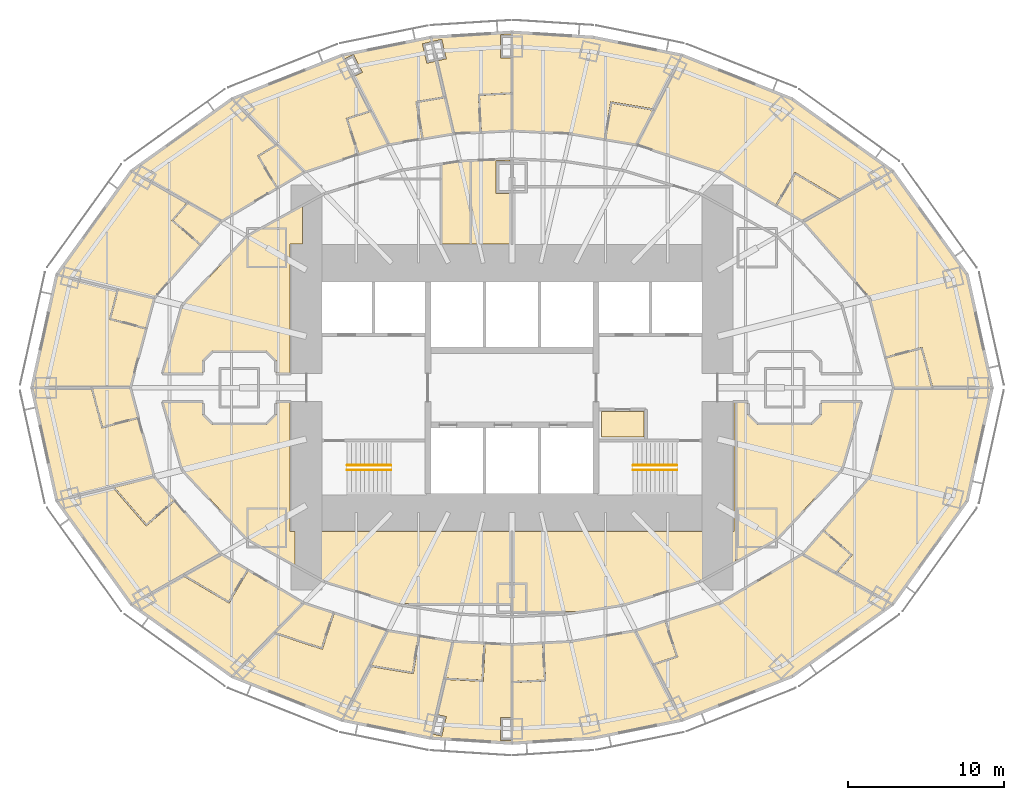
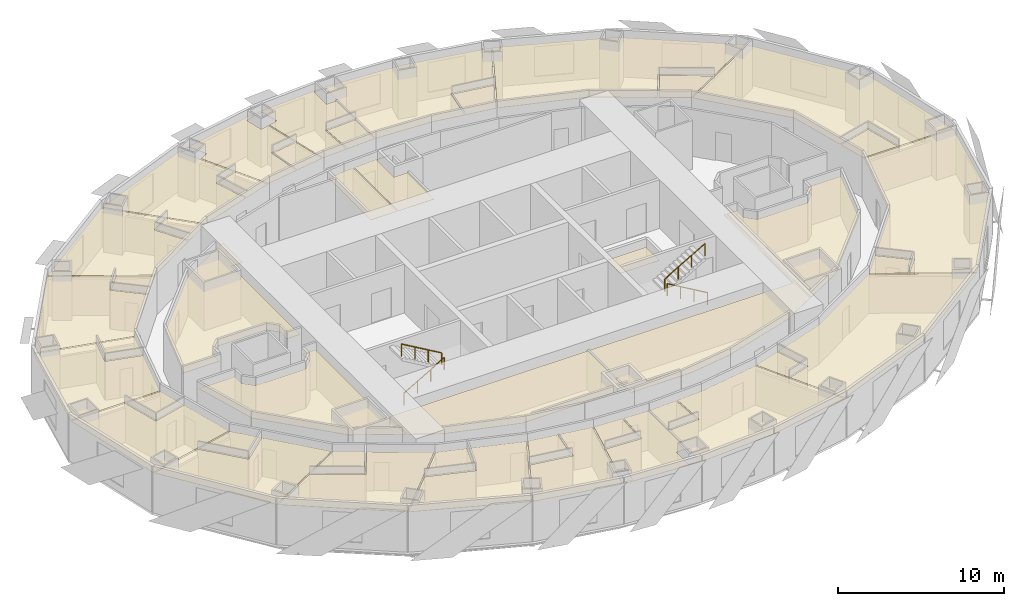
# One storey, part 15 of 15: 44 coverings, 4 railings.
"""IFC4 building model written with IfcOpenShell, lengths in metres."""

from ifc_helpers import new_model, si_unit, direction, frame, origin, origin_2d, place, context, subcontext, project, spatial, polyline, circle, outline, extrude, material, layer, layer_set, type_object, element, save


model = new_model("IFC4")

# Units and contexts
model_context = context("Model", 3, precision=1e-05, world=origin(), true_north=direction((0.0, 1.0)))
body_context = subcontext(model_context, "Body", "Model", "MODEL_VIEW")
ifc_project = project(units=[si_unit("LENGTHUNIT", "METRE"), si_unit("AREAUNIT", "SQUARE_METRE"), si_unit("VOLUMEUNIT", "CUBIC_METRE"), si_unit("PLANEANGLEUNIT", "RADIAN"), si_unit("MASSUNIT", "GRAM", prefix="KILO")], contexts=[model_context])

# Site, building, storey
site_placement = place(None, origin())
site = spatial("IfcSite", under=ifc_project, at=site_placement, CompositionType="ELEMENT")
building_placement = place(site_placement, origin())
building = spatial("IfcBuilding", under=site, at=building_placement, Name="Lantaw Convention Tower", CompositionType="ELEMENT")
storey_placement = place(building_placement, frame((0.0, 0.0, 58.60009765625)))
storey = spatial("IfcBuildingStorey", under=building, at=storey_placement, Name="L12", CompositionType="ELEMENT", Elevation=58.60009765625)

# Railings
ifc_material_1 = material(Name="Stainless steel", Category="steel")
railing_type = type_object("IfcRailingType", Name="Stair handrail", PredefinedType="HANDRAIL", material=ifc_material_1)
railing_1_placement = place(storey_placement, frame((-10.580078125, -5.280029296875, 0.16357421875)))
element("IfcRailing", 1, at=railing_1_placement, inside=storey, type_object=railing_type, Name="Stair handrail S1", PredefinedType="HANDRAIL", context=body_context, shape_type="SweptSolid", body=[
    extrude(circle(Radius=0.02392578125, at=origin_2d()), frame((0.0, 0.0, 0.8759765625), z_axis=(0.863393664356, 0.0, 0.504530851732), x_axis=(0.0, 1.0, 0.0)), (0.0, 0.0, 1.0), 3.2431640625),
    extrude(circle(Radius=0.02099609375, at=origin_2d()), origin(), (0.0, 0.0, 1.0), 0.851806640625),
    extrude(circle(Radius=0.02099609375, at=origin_2d()), frame((0.933349609375, 0.0, 0.54541015625)), (0.0, 0.0, 1.0), 0.851806640625),
    extrude(circle(Radius=0.02099609375, at=origin_2d()), frame((1.86669921875, 0.0, 1.0908203125)), (0.0, 0.0, 1.0), 0.851806640625),
    extrude(circle(Radius=0.02099609375, at=origin_2d()), frame((2.800048828125, 0.0, 1.63623046875)), (0.0, 0.0, 1.0), 0.851806640625),
])
for number, where, name in (
    (2, (-7.780029296875, -4.97998046875, 1.963623046875), "Stair handrail S1"),
    (3, (10.580078125, -5.280029296875, 0.16357421875), "Stair handrail S2"),
):
    element("IfcRailing", number, at=place(storey_placement, frame(where)), inside=storey, type_object=railing_type, Name=name, PredefinedType="HANDRAIL", context=body_context, shape_type="SweptSolid", body=[
        extrude(circle(Radius=0.02392578125, at=origin_2d()), frame((0.0, 0.0, 0.8759765625), z_axis=(-0.863393664356, 0.0, 0.504530851732), x_axis=(0.0, -1.0, 0.0)), (0.0, 0.0, 1.0), 3.2431640625),
        extrude(circle(Radius=0.02099609375, at=origin_2d()), origin(), (0.0, 0.0, 1.0), 0.851806640625),
        extrude(circle(Radius=0.02099609375, at=origin_2d()), frame((-0.933349609375, 0.0, 0.54541015625)), (0.0, 0.0, 1.0), 0.851806640625),
        extrude(circle(Radius=0.02099609375, at=origin_2d()), frame((-1.86669921875, 0.0, 1.0908203125)), (0.0, 0.0, 1.0), 0.851806640625),
        extrude(circle(Radius=0.02099609375, at=origin_2d()), frame((-2.800048828125, 0.0, 1.63623046875)), (0.0, 0.0, 1.0), 0.851806640625),
    ])
railing_2_placement = place(storey_placement, frame((7.780029296875, -4.97998046875, 1.963623046875)))
element("IfcRailing", 4, at=railing_2_placement, inside=storey, type_object=railing_type, Name="Stair handrail S2", PredefinedType="HANDRAIL", context=body_context, shape_type="SweptSolid", body=[
    extrude(circle(Radius=0.02392578125, at=origin_2d()), frame((0.0, 0.0, 0.8759765625), z_axis=(0.863393664356, 0.0, 0.504530851732), x_axis=(0.0, 1.0, 0.0)), (0.0, 0.0, 1.0), 3.2431640625),
    extrude(circle(Radius=0.02099609375, at=origin_2d()), origin(), (0.0, 0.0, 1.0), 0.851806640625),
    extrude(circle(Radius=0.02099609375, at=origin_2d()), frame((0.933349609375, 0.0, 0.54541015625)), (0.0, 0.0, 1.0), 0.851806640625),
    extrude(circle(Radius=0.02099609375, at=origin_2d()), frame((1.86669921875, 0.0, 1.0908203125)), (0.0, 0.0, 1.0), 0.851806640625),
    extrude(circle(Radius=0.02099609375, at=origin_2d()), frame((2.800048828125, 0.0, 1.63623046875)), (0.0, 0.0, 1.0), 0.851806640625),
])

# Coverings
ifc_material_2 = material(Name="Gypsum board on steel suspension grid", Category="steel")
ifc_layer = layer(ifc_material_2, 0.02001953125)
ifc_layer_set = layer_set([ifc_layer], Name="Suspended ceiling")
covering_type = type_object("IfcCoveringType", Name="Suspended ceiling", PredefinedType="CEILING", material=ifc_layer_set)
covering_1_placement = place(storey_placement, frame((0.0, 0.0, 2.849853515625)))
element("IfcCovering", 5, at=covering_1_placement, inside=storey, type_object=covering_type, Name="Staff WC ceiling", PredefinedType="CEILING", context=body_context, shape_type="SweptSolid", body=[
    extrude(outline(polyline([(5.739990234375, -3.159912109375), (8.4599609375, -3.159912109375), (8.4599609375, -1.5400390625), (5.739990234375, -1.5400390625), (5.739990234375, -3.159912109375)])), origin(), (0.0, 0.0, 1.0), 0.02001953125),
])
covering_2_placement = place(storey_placement, frame((0.0, 0.0, 2.849853515625)))
element("IfcCovering", 6, at=covering_2_placement, inside=storey, type_object=covering_type, Name="Accessible WC ceiling", PredefinedType="CEILING", context=body_context, shape_type="SweptSolid", body=[
    extrude(outline(polyline([(-0.114990234375, 14.5400390625), (-0.114990234375, 14.654296875), (-2.610107421875, 14.534423828125), (-2.610107421875, 9.239990234375), (-0.114990234375, 9.239990234375), (-0.114990234375, 12.4599609375), (-1.0400390625, 12.4599609375), (-1.0400390625, 14.5400390625), (-0.114990234375, 14.5400390625)])), origin(), (0.0, 0.0, 1.0), 0.02001953125),
])
covering_3_placement = place(storey_placement, frame((0.0, 0.0, 2.849853515625)))
element("IfcCovering", 7, at=covering_3_placement, inside=storey, type_object=covering_type, Name="Staff WC ceiling", PredefinedType="CEILING", context=body_context, shape_type="SweptSolid", body=[
    extrude(outline(polyline([(-3.3525390625, 14.49853515625), (-4.510009765625, 14.3203125), (-4.510009765625, 9.239990234375), (-2.68994140625, 9.239990234375), (-2.68994140625, 14.530517578125), (-3.3525390625, 14.49853515625)])), origin(), (0.0, 0.0, 1.0), 0.02001953125),
])
covering_4_placement = place(storey_placement, frame((0.0, 0.0, 2.849853515625)))
element("IfcCovering", 8, at=covering_4_placement, inside=storey, type_object=covering_type, Name="Housekeeping room ceiling", PredefinedType="CEILING", context=body_context, shape_type="SweptSolid", body=[
    extrude(outline(polyline([(-22.388671875, 0.93994140625), (-19.864990234375, 0.93994140625), (-19.864990234375, 1.7412109375), (-19.2412109375, 2.364990234375), (-15.7587890625, 2.364990234375), (-15.135009765625, 1.7412109375), (-15.135009765625, 0.93994140625), (-14.239990234375, 0.93994140625), (-14.239990234375, 9.239990234375), (-13.43994140625, 9.239990234375), (-13.43994140625, 11.64697265625), (-16.99609375, 9.694091796875), (-21.148193359375, 5.261474609375), (-22.388671875, 0.93994140625)])), origin(), (0.0, 0.0, 1.0), 0.02001953125),
])
covering_5_placement = place(storey_placement, frame((0.0, 0.0, 2.849853515625)))
element("IfcCovering", 9, at=covering_5_placement, inside=storey, type_object=covering_type, Name="Staff locker room ceiling", PredefinedType="CEILING", context=body_context, shape_type="SweptSolid", body=[
    extrude(outline(polyline([(-12.020263671875, -12.426513671875), (-7.303466796875, -13.860107421875), (-0.0400390625, -13.860107421875), (-0.0400390625, -9.239990234375), (-13.860107421875, -9.239990234375), (-13.860107421875, -11.416259765625), (-12.020263671875, -12.426513671875)])), origin(), (0.0, 0.0, 1.0), 0.02001953125),
])
covering_6_placement = place(storey_placement, frame((0.0, 0.0, 2.849853515625)))
element("IfcCovering", 10, at=covering_6_placement, inside=storey, type_object=covering_type, Name="Staff room ceiling", PredefinedType="CEILING", context=body_context, shape_type="SweptSolid", body=[
    extrude(outline(polyline([(-22.388671875, -0.93994140625), (-21.148193359375, -5.261474609375), (-16.99609375, -9.694091796875), (-13.93994140625, -11.372314453125), (-13.93994140625, -9.239990234375), (-14.239990234375, -9.239990234375), (-14.239990234375, -0.93994140625), (-15.135009765625, -0.93994140625), (-15.135009765625, -1.7412109375), (-15.7587890625, -2.364990234375), (-19.2412109375, -2.364990234375), (-19.864990234375, -1.7412109375), (-19.864990234375, -0.93994140625), (-22.388671875, -0.93994140625)])), origin(), (0.0, 0.0, 1.0), 0.02001953125),
])
covering_7_placement = place(storey_placement, frame((0.0, 0.0, 2.849853515625)))
element("IfcCovering", 11, at=covering_7_placement, inside=storey, type_object=covering_type, Name="Guest ice and vending room ceiling", PredefinedType="CEILING", context=body_context, shape_type="SweptSolid", body=[
    extrude(outline(polyline([(7.10400390625, -13.920654296875), (12.020263671875, -12.426513671875), (14.360107421875, -11.1416015625), (14.360107421875, -0.93994140625), (14.239990234375, -0.93994140625), (14.239990234375, -9.239990234375), (0.0400390625, -9.239990234375), (0.0400390625, -14.360107421875), (4.251953125, -14.360107421875), (7.10400390625, -13.920654296875)])), origin(), (0.0, 0.0, 1.0), 0.02001953125),
])
covering_8_placement = place(storey_placement, frame((0.0, 0.0, 2.849853515625)))
element("IfcCovering", 12, at=covering_8_placement, inside=storey, type_object=covering_type, Name="Room service pantry ceiling", PredefinedType="CEILING", context=body_context, shape_type="SweptSolid", body=[
    extrude(outline(polyline([(22.388671875, -0.93994140625), (19.864990234375, -0.93994140625), (19.864990234375, -1.7412109375), (19.2412109375, -2.364990234375), (15.7587890625, -2.364990234375), (15.135009765625, -1.7412109375), (15.135009765625, -0.93994140625), (14.43994140625, -0.93994140625), (14.43994140625, -11.097900390625), (16.99609375, -9.694091796875), (21.148193359375, -5.261474609375), (22.388671875, -0.93994140625)])), origin(), (0.0, 0.0, 1.0), 0.02001953125),
])
covering_9_placement = place(storey_placement, frame((0.0, 0.0, 2.849853515625)))
element("IfcCovering", 13, at=covering_9_placement, inside=storey, type_object=covering_type, Name="Junior suite bathroom ceiling", PredefinedType="CEILING", context=body_context, shape_type="SweptSolid", body=[
    extrude(outline(polyline([(24.53076171875, 0.0400390625), (26.931396484375, 0.0400390625), (26.27685546875, 2.500732421875), (24.03466796875, 1.904296875), (24.53076171875, 0.0400390625)])), origin(), (0.0, 0.0, 1.0), 0.02001953125),
])
covering_10_placement = place(storey_placement, frame((0.0, 0.0, 2.849853515625)))
element("IfcCovering", 14, at=covering_10_placement, inside=storey, type_object=covering_type, Name="Junior suite ceiling", PredefinedType="CEILING", context=body_context, shape_type="SweptSolid", body=[
    extrude(outline(polyline([(23.01220703125, 5.747802734375), (24.01416015625, 1.981689453125), (26.33349609375, 2.5986328125), (27.01416015625, 0.0400390625), (30.77099609375, 0.0400390625), (29.184814453125, 7.237060546875), (24.423095703125, 13.8564453125), (18.743896484375, 10.664306640625), (23.01220703125, 5.747802734375)])), origin(), (0.0, 0.0, 1.0), 0.02001953125),
])
covering_11_placement = place(storey_placement, frame((0.0, 0.0, 2.849853515625)))
element("IfcCovering", 15, at=covering_11_placement, inside=storey, type_object=covering_type, Name="Junior suite bathroom ceiling", PredefinedType="CEILING", context=body_context, shape_type="SweptSolid", body=[
    extrude(outline(polyline([(18.681884765625, 10.721435546875), (20.998291015625, 12.045166015625), (18.19921875, 13.704833984375), (17.015869140625, 11.709228515625), (18.681884765625, 10.721435546875)])), origin(), (0.0, 0.0, 1.0), 0.02001953125),
])
covering_12_placement = place(storey_placement, frame((0.0, 0.0, 2.849853515625)))
element("IfcCovering", 16, at=covering_12_placement, inside=storey, type_object=covering_type, Name="Junior suite ceiling", PredefinedType="CEILING", context=body_context, shape_type="SweptSolid", body=[
    extrude(outline(polyline([(8.009033203125, 15.630126953125), (13.3740234375, 13.86865234375), (16.936767578125, 11.756103515625), (18.1669921875, 13.830810546875), (21.10986328125, 12.0859375), (24.3603515625, 13.912841796875), (17.951171875, 18.50634765625), (10.930908203125, 21.294921875), (8.009033203125, 15.630126953125)])), origin(), (0.0, 0.0, 1.0), 0.02001953125),
])
covering_13_placement = place(storey_placement, frame((0.0, 0.0, 2.849853515625)))
element("IfcCovering", 17, at=covering_13_placement, inside=storey, type_object=covering_type, Name="Junior suite bathroom ceiling", PredefinedType="CEILING", context=body_context, shape_type="SweptSolid", body=[
    extrude(outline(polyline([(7.9296875, 15.65087890625), (9.034423828125, 17.819091796875), (6.40625, 18.256591796875), (6.025146484375, 15.968017578125), (7.9296875, 15.65087890625)])), origin(), (0.0, 0.0, 1.0), 0.02001953125),
])
covering_14_placement = place(storey_placement, frame((0.0, 0.0, 2.849853515625)))
element("IfcCovering", 18, at=covering_14_placement, inside=storey, type_object=covering_type, Name="Junior suite ceiling", PredefinedType="CEILING", context=body_context, shape_type="SweptSolid", body=[
    extrude(outline(polyline([(0.0400390625, 16.5380859375), (3.7685546875, 16.343994140625), (5.9345703125, 15.983154296875), (6.33056640625, 18.362548828125), (9.09130859375, 17.90283203125), (10.85205078125, 21.31689453125), (5.20556640625, 22.456298828125), (0.0400390625, 22.781982421875), (0.0400390625, 16.5380859375)])), origin(), (0.0, 0.0, 1.0), 0.02001953125),
])
covering_15_placement = place(storey_placement, frame((0.0, 0.0, 2.849853515625)))
element("IfcCovering", 19, at=covering_15_placement, inside=storey, type_object=covering_type, Name="Guest bathroom ceiling", PredefinedType="CEILING", context=body_context, shape_type="SweptSolid", body=[
    extrude(outline(polyline([(-0.0400390625, 16.5380859375), (-0.0400390625, 18.861083984375), (-2.080078125, 18.7548828125), (-1.95947265625, 16.43798828125), (-0.0400390625, 16.5380859375)])), origin(), (0.0, 0.0, 1.0), 0.02001953125),
])
covering_16_placement = place(storey_placement, frame((0.0, 0.0, 2.849853515625)))
element("IfcCovering", 20, at=covering_16_placement, inside=storey, type_object=covering_type, Name="Guest room ceiling", PredefinedType="CEILING", context=body_context, shape_type="SweptSolid", body=[
    extrude(outline(polyline([(-4.815673828125, 20.98046875), (-3.732666015625, 16.345703125), (-2.039306640625, 16.433837890625), (-2.1640625, 18.83056640625), (-0.0400390625, 18.941162109375), (-0.0400390625, 21.159912109375), (-0.739990234375, 21.159912109375), (-0.739990234375, 22.639892578125), (-0.0400390625, 22.639892578125), (-0.0400390625, 22.781982421875), (-5.1611328125, 22.458984375), (-5.10693359375, 22.22705078125), (-4.506591796875, 22.365478515625), (-4.21875, 21.118408203125), (-4.815673828125, 20.98046875)])), origin(), (0.0, 0.0, 1.0), 0.02001953125),
])
covering_17_placement = place(storey_placement, frame((0.0, 0.0, 2.849853515625)))
element("IfcCovering", 21, at=covering_17_placement, inside=storey, type_object=covering_type, Name="Guest bathroom ceiling", PredefinedType="CEILING", context=body_context, shape_type="SweptSolid", body=[
    extrude(outline(polyline([(-3.812744140625, 16.336669921875), (-4.33544921875, 18.6015625), (-6.085205078125, 18.31005859375), (-5.7041015625, 16.021484375), (-3.812744140625, 16.336669921875)])), origin(), (0.0, 0.0, 1.0), 0.02001953125),
])
covering_18_placement = place(storey_placement, frame((0.0, 0.0, 2.849853515625)))
element("IfcCovering", 22, at=covering_18_placement, inside=storey, type_object=covering_type, Name="Guest room ceiling", PredefinedType="CEILING", context=body_context, shape_type="SweptSolid", body=[
    extrude(outline(polyline([(-10.157958984375, 19.970947265625), (-7.929931640625, 15.65087890625), (-5.782958984375, 16.008544921875), (-6.17724609375, 18.3759765625), (-4.35986328125, 18.678466796875), (-4.8935546875, 20.962646484375), (-5.4658203125, 20.83056640625), (-5.75390625, 22.07763671875), (-5.184814453125, 22.208984375), (-5.240966796875, 22.448974609375), (-10.85205078125, 21.31689453125), (-10.74462890625, 21.1083984375), (-10.182861328125, 21.394775390625), (-9.601806640625, 20.254150390625), (-10.157958984375, 19.970947265625)])), origin(), (0.0, 0.0, 1.0), 0.02001953125),
])
covering_19_placement = place(storey_placement, frame((0.0, 0.0, 2.849853515625)))
element("IfcCovering", 23, at=covering_19_placement, inside=storey, type_object=covering_type, Name="Guest bathroom ceiling", PredefinedType="CEILING", context=body_context, shape_type="SweptSolid", body=[
    extrude(outline(polyline([(-8.0087890625, 15.630126953125), (-9.07470703125, 17.721923828125), (-10.55029296875, 17.237548828125), (-9.82666015625, 15.033203125), (-8.0087890625, 15.630126953125)])), origin(), (0.0, 0.0, 1.0), 0.02001953125),
])
covering_20_placement = place(storey_placement, frame((0.0, 0.0, 2.849853515625)))
element("IfcCovering", 24, at=covering_20_placement, inside=storey, type_object=covering_type, Name="Guest room ceiling", PredefinedType="CEILING", context=body_context, shape_type="SweptSolid", body=[
    extrude(outline(polyline([(-13.34619140625, 13.877685546875), (-9.902587890625, 15.00830078125), (-10.6513671875, 17.28857421875), (-9.123291015625, 17.790283203125), (-10.930908203125, 21.294921875), (-17.899658203125, 18.52685546875), (-13.34619140625, 13.877685546875)])), origin(), (0.0, 0.0, 1.0), 0.02001953125),
])
covering_21_placement = place(storey_placement, frame((0.0, 0.0, 2.849853515625)))
element("IfcCovering", 25, at=covering_21_placement, inside=storey, type_object=covering_type, Name="Guest bathroom ceiling", PredefinedType="CEILING", context=body_context, shape_type="SweptSolid", body=[
    extrude(outline(polyline([(-13.42138671875, 13.840576171875), (-15.07763671875, 15.5556640625), (-16.2470703125, 14.8623046875), (-15.063720703125, 12.86669921875), (-13.42138671875, 13.840576171875)])), origin(), (0.0, 0.0, 1.0), 0.02001953125),
])
covering_22_placement = place(storey_placement, frame((0.0, 0.0, 2.849853515625)))
element("IfcCovering", 26, at=covering_22_placement, inside=storey, type_object=covering_type, Name="Guest room ceiling", PredefinedType="CEILING", context=body_context, shape_type="SweptSolid", body=[
    extrude(outline(polyline([(-18.681884765625, 10.721435546875), (-15.132568359375, 12.825927734375), (-16.356689453125, 14.890380859375), (-15.150390625, 15.60546875), (-17.97509765625, 18.4892578125), (-24.3603515625, 13.912841796875), (-18.681884765625, 10.721435546875)])), origin(), (0.0, 0.0, 1.0), 0.02001953125),
])
covering_23_placement = place(storey_placement, frame((0.0, 0.0, 2.849853515625)))
element("IfcCovering", 27, at=covering_23_placement, inside=storey, type_object=covering_type, Name="Guest bathroom ceiling", PredefinedType="CEILING", context=body_context, shape_type="SweptSolid", body=[
    extrude(outline(polyline([(-18.74365234375, 10.66455078125), (-20.797119140625, 11.838134765625), (-21.74853515625, 10.7421875), (-19.99658203125, 9.221435546875), (-18.74365234375, 10.66455078125)])), origin(), (0.0, 0.0, 1.0), 0.02001953125),
])
covering_24_placement = place(storey_placement, frame((0.0, 0.0, 2.849853515625)))
element("IfcCovering", 28, at=covering_24_placement, inside=storey, type_object=covering_type, Name="Guest room ceiling", PredefinedType="CEILING", context=body_context, shape_type="SweptSolid", body=[
    extrude(outline(polyline([(-22.990234375, 5.773193359375), (-20.049072265625, 9.160888671875), (-21.861328125, 10.734375), (-20.8798828125, 11.86474609375), (-24.423095703125, 13.8564453125), (-29.15478515625, 7.2783203125), (-22.990234375, 5.773193359375)])), origin(), (0.0, 0.0, 1.0), 0.02001953125),
])
covering_25_placement = place(storey_placement, frame((0.0, 0.0, 2.849853515625)))
element("IfcCovering", 29, at=covering_25_placement, inside=storey, type_object=covering_type, Name="Guest bathroom ceiling", PredefinedType="CEILING", context=body_context, shape_type="SweptSolid", body=[
    extrude(outline(polyline([(-23.025146484375, 5.699462890625), (-25.2763671875, 6.260986328125), (-25.760498046875, 4.441162109375), (-23.5185546875, 3.8447265625), (-23.025146484375, 5.699462890625)])), origin(), (0.0, 0.0, 1.0), 0.02001953125),
])
covering_26_placement = place(storey_placement, frame((0.0, 0.0, 2.849853515625)))
element("IfcCovering", 30, at=covering_26_placement, inside=storey, type_object=covering_type, Name="Guest room ceiling", PredefinedType="CEILING", context=body_context, shape_type="SweptSolid", body=[
    extrude(outline(polyline([(-24.53076171875, 0.0400390625), (-23.5390625, 3.767333984375), (-25.8583984375, 4.384521484375), (-25.357177734375, 6.268798828125), (-29.191650390625, 7.205078125), (-30.77099609375, 0.0400390625), (-24.53076171875, 0.0400390625)])), origin(), (0.0, 0.0, 1.0), 0.02001953125),
])
covering_27_placement = place(storey_placement, frame((0.0, 0.0, 2.849853515625)))
element("IfcCovering", 31, at=covering_27_placement, inside=storey, type_object=covering_type, Name="Guest bathroom ceiling", PredefinedType="CEILING", context=body_context, shape_type="SweptSolid", body=[
    extrude(outline(polyline([(-24.53076171875, -0.0400390625), (-26.931396484375, -0.0400390625), (-26.27685546875, -2.500732421875), (-24.03466796875, -1.904296875), (-24.53076171875, -0.0400390625)])), origin(), (0.0, 0.0, 1.0), 0.02001953125),
])
covering_28_placement = place(storey_placement, frame((0.0, 0.0, 2.849853515625)))
element("IfcCovering", 32, at=covering_28_placement, inside=storey, type_object=covering_type, Name="Guest room ceiling", PredefinedType="CEILING", context=body_context, shape_type="SweptSolid", body=[
    extrude(outline(polyline([(-24.01416015625, -1.981689453125), (-26.33349609375, -2.5986328125), (-27.01416015625, -0.0400390625), (-30.77099609375, -0.0400390625), (-29.191650390625, -7.205078125), (-23.025146484375, -5.699462890625), (-24.01416015625, -1.981689453125)])), origin(), (0.0, 0.0, 1.0), 0.02001953125),
])
covering_29_placement = place(storey_placement, frame((0.0, 0.0, 2.849853515625)))
element("IfcCovering", 33, at=covering_29_placement, inside=storey, type_object=covering_type, Name="Guest bathroom ceiling", PredefinedType="CEILING", context=body_context, shape_type="SweptSolid", body=[
    extrude(outline(polyline([(-22.990234375, -5.773193359375), (-25.515869140625, -6.403076171875), (-23.47314453125, -8.755859375), (-21.72119140625, -7.23486328125), (-22.990234375, -5.773193359375)])), origin(), (0.0, 0.0, 1.0), 0.02001953125),
])
covering_30_placement = place(storey_placement, frame((0.0, 0.0, 2.849853515625)))
element("IfcCovering", 34, at=covering_30_placement, inside=storey, type_object=covering_type, Name="Guest room ceiling", PredefinedType="CEILING", context=body_context, shape_type="SweptSolid", body=[
    extrude(outline(polyline([(-25.625732421875, -6.416748046875), (-29.15478515625, -7.2783203125), (-24.423095703125, -13.8564453125), (-18.743896484375, -10.664306640625), (-21.660888671875, -7.30419921875), (-23.482421875, -8.885498046875), (-25.625732421875, -6.416748046875)])), origin(), (0.0, 0.0, 1.0), 0.02001953125),
])
covering_31_placement = place(storey_placement, frame((0.0, 0.0, 2.849853515625)))
element("IfcCovering", 35, at=covering_31_placement, inside=storey, type_object=covering_type, Name="Guest bathroom ceiling", PredefinedType="CEILING", context=body_context, shape_type="SweptSolid", body=[
    extrude(outline(polyline([(-18.681884765625, -10.721435546875), (-20.998291015625, -12.045166015625), (-18.19921875, -13.704833984375), (-17.015869140625, -11.709228515625), (-18.681884765625, -10.721435546875)])), origin(), (0.0, 0.0, 1.0), 0.02001953125),
])
covering_32_placement = place(storey_placement, frame((0.0, 0.0, 2.849853515625)))
element("IfcCovering", 36, at=covering_32_placement, inside=storey, type_object=covering_type, Name="Guest room ceiling", PredefinedType="CEILING", context=body_context, shape_type="SweptSolid", body=[
    extrude(outline(polyline([(-21.10986328125, -12.0859375), (-24.3603515625, -13.912841796875), (-17.97509765625, -18.4892578125), (-13.421630859375, -13.84033203125), (-16.936767578125, -11.756103515625), (-18.1669921875, -13.830810546875), (-21.10986328125, -12.0859375)])), origin(), (0.0, 0.0, 1.0), 0.02001953125),
])
covering_33_placement = place(storey_placement, frame((0.0, 0.0, 2.849853515625)))
element("IfcCovering", 37, at=covering_33_placement, inside=storey, type_object=covering_type, Name="Guest bathroom ceiling", PredefinedType="CEILING", context=body_context, shape_type="SweptSolid", body=[
    extrude(outline(polyline([(-13.34619140625, -13.8779296875), (-15.136474609375, -15.73193359375), (-12.2314453125, -16.685546875), (-11.5078125, -14.4814453125), (-13.34619140625, -13.8779296875)])), origin(), (0.0, 0.0, 1.0), 0.02001953125),
])
covering_34_placement = place(storey_placement, frame((0.0, 0.0, 2.849853515625)))
element("IfcCovering", 38, at=covering_34_placement, inside=storey, type_object=covering_type, Name="Guest room ceiling", PredefinedType="CEILING", context=body_context, shape_type="SweptSolid", body=[
    extrude(outline(polyline([(-15.227783203125, -15.798828125), (-17.899658203125, -18.52685546875), (-10.930908203125, -21.294921875), (-8.009033203125, -15.630126953125), (-11.42041015625, -14.510009765625), (-12.172607421875, -16.8017578125), (-15.227783203125, -15.798828125)])), origin(), (0.0, 0.0, 1.0), 0.02001953125),
])
covering_35_placement = place(storey_placement, frame((0.0, 0.0, 2.849853515625)))
element("IfcCovering", 39, at=covering_35_placement, inside=storey, type_object=covering_type, Name="Guest bathroom ceiling", PredefinedType="CEILING", context=body_context, shape_type="SweptSolid", body=[
    extrude(outline(polyline([(-7.9296875, -15.65087890625), (-9.034423828125, -17.819091796875), (-6.40625, -18.256591796875), (-6.025146484375, -15.968017578125), (-7.9296875, -15.65087890625)])), origin(), (0.0, 0.0, 1.0), 0.02001953125),
])
covering_36_placement = place(storey_placement, frame((0.0, 0.0, 2.849853515625)))
element("IfcCovering", 40, at=covering_36_placement, inside=storey, type_object=covering_type, Name="Guest room ceiling", PredefinedType="CEILING", context=body_context, shape_type="SweptSolid", body=[
    extrude(outline(polyline([(-9.09130859375, -17.90283203125), (-10.85205078125, -21.31689453125), (-5.240966796875, -22.448974609375), (-3.812744140625, -16.336669921875), (-5.9345703125, -15.983154296875), (-6.33056640625, -18.362548828125), (-9.09130859375, -17.90283203125)])), origin(), (0.0, 0.0, 1.0), 0.02001953125),
])
covering_37_placement = place(storey_placement, frame((0.0, 0.0, 2.849853515625)))
element("IfcCovering", 41, at=covering_37_placement, inside=storey, type_object=covering_type, Name="Guest bathroom ceiling", PredefinedType="CEILING", context=body_context, shape_type="SweptSolid", body=[
    extrude(outline(polyline([(-3.732666015625, -16.345703125), (-4.2626953125, -18.641357421875), (-1.929443359375, -18.7626953125), (-1.808837890625, -16.44580078125), (-3.732666015625, -16.345703125)])), origin(), (0.0, 0.0, 1.0), 0.02001953125),
])
covering_38_placement = place(storey_placement, frame((0.0, 0.0, 2.849853515625)))
element("IfcCovering", 42, at=covering_38_placement, inside=storey, type_object=covering_type, Name="Guest room ceiling", PredefinedType="CEILING", context=body_context, shape_type="SweptSolid", body=[
    extrude(outline(polyline([(-0.0400390625, -16.5380859375), (-1.717041015625, -16.45068359375), (-1.84228515625, -18.859375), (-4.290283203125, -18.73193359375), (-4.815673828125, -20.98046875), (-4.21875, -21.118408203125), (-4.506591796875, -22.365478515625), (-5.10693359375, -22.22705078125), (-5.1611328125, -22.458984375), (-0.0400390625, -22.781982421875), (-0.0400390625, -22.639892578125), (-0.739990234375, -22.639892578125), (-0.739990234375, -21.159912109375), (-0.0400390625, -21.159912109375), (-0.0400390625, -16.5380859375)])), origin(), (0.0, 0.0, 1.0), 0.02001953125),
])
covering_39_placement = place(storey_placement, frame((0.0, 0.0, 2.849853515625)))
element("IfcCovering", 43, at=covering_39_placement, inside=storey, type_object=covering_type, Name="Junior suite bathroom ceiling", PredefinedType="CEILING", context=body_context, shape_type="SweptSolid", body=[
    extrude(outline(polyline([(0.0400390625, -16.5380859375), (0.0400390625, -18.861083984375), (2.080078125, -18.7548828125), (1.95947265625, -16.43798828125), (0.0400390625, -16.5380859375)])), origin(), (0.0, 0.0, 1.0), 0.02001953125),
])
covering_40_placement = place(storey_placement, frame((0.0, 0.0, 2.849853515625)))
element("IfcCovering", 44, at=covering_40_placement, inside=storey, type_object=covering_type, Name="Junior suite ceiling", PredefinedType="CEILING", context=body_context, shape_type="SweptSolid", body=[
    extrude(outline(polyline([(3.7685546875, -16.343994140625), (2.039306640625, -16.433837890625), (2.1640625, -18.83056640625), (0.0400390625, -18.941162109375), (0.0400390625, -22.781982421875), (5.20556640625, -22.456298828125), (10.85205078125, -21.31689453125), (7.929931640625, -15.65087890625), (3.7685546875, -16.343994140625)])), origin(), (0.0, 0.0, 1.0), 0.02001953125),
])
covering_41_placement = place(storey_placement, frame((0.0, 0.0, 2.849853515625)))
element("IfcCovering", 45, at=covering_41_placement, inside=storey, type_object=covering_type, Name="Junior suite bathroom ceiling", PredefinedType="CEILING", context=body_context, shape_type="SweptSolid", body=[
    extrude(outline(polyline([(8.0087890625, -15.630126953125), (9.07470703125, -17.721923828125), (10.55029296875, -17.237548828125), (9.82666015625, -15.033203125), (8.0087890625, -15.630126953125)])), origin(), (0.0, 0.0, 1.0), 0.02001953125),
])
covering_42_placement = place(storey_placement, frame((0.0, 0.0, 2.849853515625)))
element("IfcCovering", 46, at=covering_42_placement, inside=storey, type_object=covering_type, Name="Junior suite ceiling", PredefinedType="CEILING", context=body_context, shape_type="SweptSolid", body=[
    extrude(outline(polyline([(13.3740234375, -13.86865234375), (9.902587890625, -15.00830078125), (10.6513671875, -17.28857421875), (9.123291015625, -17.790283203125), (10.930908203125, -21.294921875), (17.951171875, -18.50634765625), (24.3603515625, -13.912841796875), (18.681884765625, -10.721435546875), (13.3740234375, -13.86865234375)])), origin(), (0.0, 0.0, 1.0), 0.02001953125),
])
covering_43_placement = place(storey_placement, frame((0.0, 0.0, 2.849853515625)))
element("IfcCovering", 47, at=covering_43_placement, inside=storey, type_object=covering_type, Name="Junior suite bathroom ceiling", PredefinedType="CEILING", context=body_context, shape_type="SweptSolid", body=[
    extrude(outline(polyline([(18.74365234375, -10.66455078125), (20.797119140625, -11.838134765625), (21.74853515625, -10.7421875), (19.99658203125, -9.221435546875), (18.74365234375, -10.66455078125)])), origin(), (0.0, 0.0, 1.0), 0.02001953125),
])
covering_44_placement = place(storey_placement, frame((0.0, 0.0, 2.849853515625)))
element("IfcCovering", 48, at=covering_44_placement, inside=storey, type_object=covering_type, Name="Junior suite ceiling", PredefinedType="CEILING", context=body_context, shape_type="SweptSolid", body=[
    extrude(outline(polyline([(23.01220703125, -5.747802734375), (20.049072265625, -9.160888671875), (21.861328125, -10.734375), (20.8798828125, -11.86474609375), (24.423095703125, -13.8564453125), (29.184814453125, -7.237060546875), (30.77099609375, -0.0400390625), (24.53076171875, -0.0400390625), (23.01220703125, -5.747802734375)])), origin(), (0.0, 0.0, 1.0), 0.02001953125),
])

save(model, "model.ifc")
